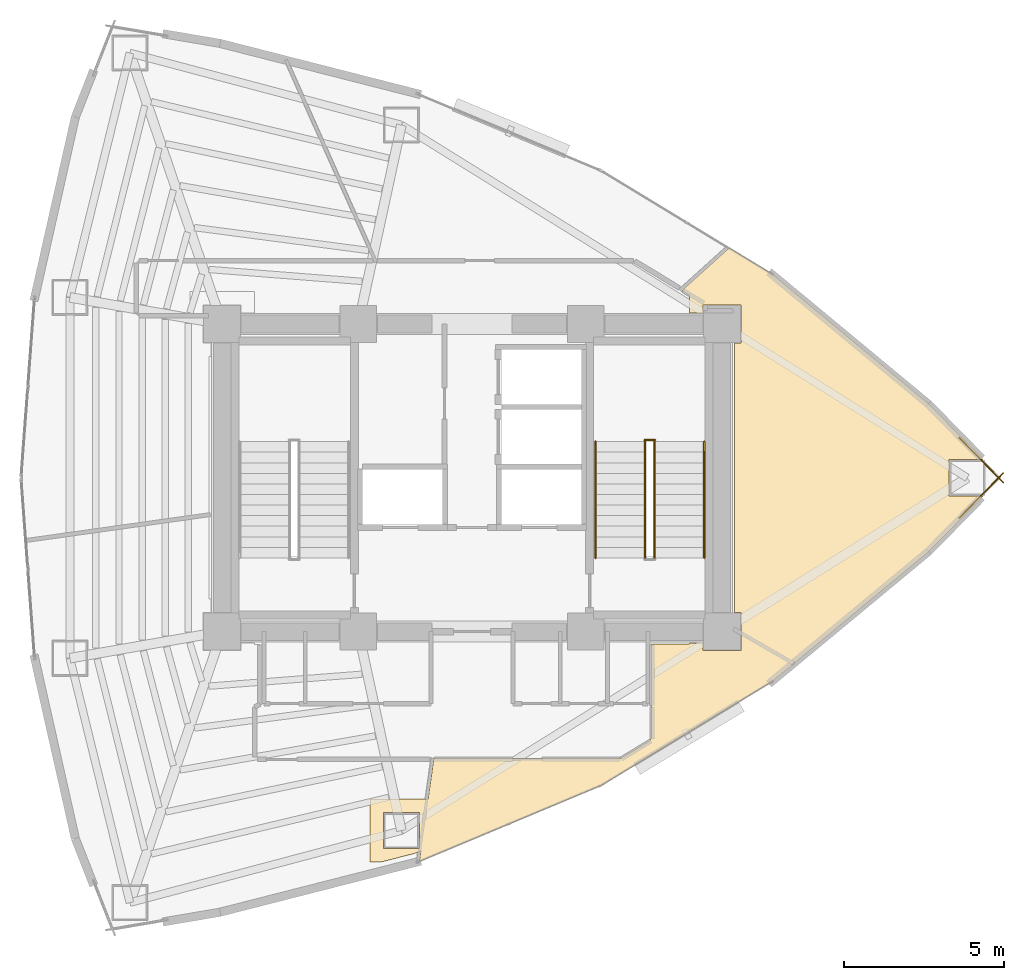
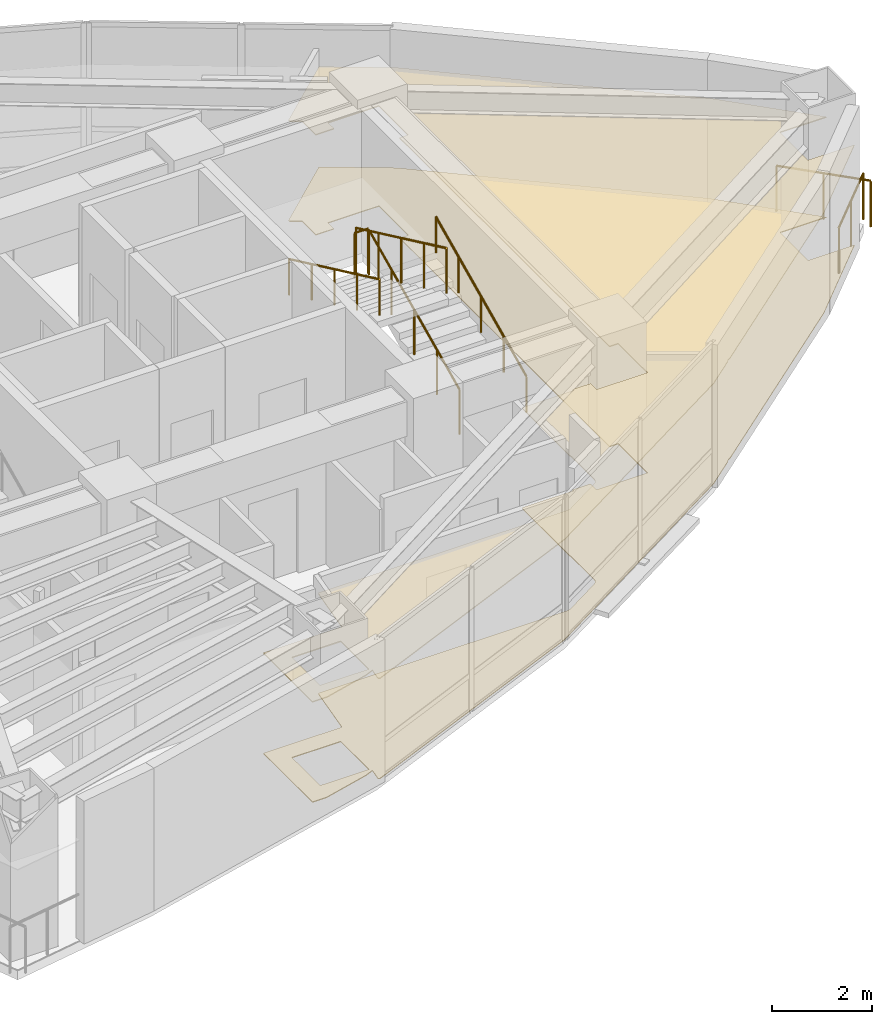
# One storey, part 14 of 15: 7 railings, 2 coverings.
"""IFC4 building model written with IfcOpenShell, lengths in metres."""

from ifc_helpers import new_model, si_unit, direction, frame, origin, origin_2d, place, context, subcontext, project, spatial, polyline, circle, outline, extrude, material, layer, layer_set, type_object, element, save


model = new_model("IFC4")

# Units and contexts
model_context = context("Model", 3, precision=1e-05, world=origin(), true_north=direction((0.0, 1.0)))
body_context = subcontext(model_context, "Body", "Model", "MODEL_VIEW")
ifc_project = project(units=[si_unit("LENGTHUNIT", "METRE"), si_unit("AREAUNIT", "SQUARE_METRE"), si_unit("VOLUMEUNIT", "CUBIC_METRE"), si_unit("PLANEANGLEUNIT", "RADIAN"), si_unit("MASSUNIT", "GRAM", prefix="KILO")], contexts=[model_context])

# Site, building, storey
site_placement = place(None, origin())
site = spatial("IfcSite", under=ifc_project, at=site_placement, CompositionType="ELEMENT")
building_placement = place(site_placement, origin())
building = spatial("IfcBuilding", under=site, at=building_placement, Name="Menara Vayukalpa", CompositionType="ELEMENT")
storey_placement = place(building_placement, frame((0.0, 0.0, 141.179931640625)))
storey = spatial("IfcBuildingStorey", under=building, at=storey_placement, Name="L35", CompositionType="ELEMENT", Elevation=141.179931640625)

# Coverings
ifc_material_1 = material(Name="Mineral Fibre Acoustic Ceiling Tile", Category="masonry")
ifc_layer_1 = layer(ifc_material_1, 0.02490234375)
ifc_layer_set_1 = layer_set([ifc_layer_1], Name="Mineral Fibre Acoustic Ceiling Tile")
covering_type_1 = type_object("IfcCoveringType", Name="COV-CLG1", PredefinedType="CEILING", material=ifc_layer_set_1)
covering_1_placement = place(storey_placement, frame((0.0, 0.0, 2.449951171875)))
element("IfcCovering", 1, at=covering_1_placement, inside=storey, type_object=covering_type_1, Name="L35 Operations Support Office Acoustic Ceiling", PredefinedType="CEILING", context=body_context, shape_type="SweptSolid", body=[
    extrude(outline(polyline([(24.40478515625, 13.20947265625), (24.405029296875, 13.210205078125), (24.40625, 13.216552734375), (24.406494140625, 13.21728515625), (24.406982421875, 13.218994140625), (24.4072265625, 13.219970703125), (24.407958984375, 13.2216796875), (24.40869140625, 13.22314453125), (24.409423828125, 13.224609375), (24.40966796875, 13.22509765625), (24.41064453125, 13.226806640625), (24.4111328125, 13.227294921875), (24.412109375, 13.228759765625), (24.4130859375, 13.229736328125), (24.414306640625, 13.231201171875), (24.414794921875, 13.231689453125), (24.415283203125, 13.232177734375), (24.4169921875, 13.2333984375), (24.417236328125, 13.233642578125), (24.418701171875, 13.234619140625), (24.419189453125, 13.235107421875), (24.4208984375, 13.236083984375), (24.421630859375, 13.236572265625), (24.42236328125, 13.23681640625), (24.424072265625, 13.237548828125), (24.42431640625, 13.237548828125), (24.426025390625, 13.23828125), (24.4267578125, 13.238525390625), (24.427490234375, 13.23876953125), (24.42919921875, 13.2392578125), (24.429931640625, 13.2392578125), (24.431884765625, 13.239501953125), (24.43310546875, 13.23974609375), (24.439697265625, 13.239990234375), (24.440185546875, 13.239990234375), (30.180908203125, 13.239990234375), (30.1982421875, 13.24072265625), (30.21533203125, 13.2431640625), (30.232177734375, 13.2470703125), (30.24853515625, 13.25244140625), (30.264404296875, 13.25927734375), (30.27978515625, 13.267822265625), (31.1083984375, 13.77099609375), (31.124755859375, 13.781982421875), (31.1396484375, 13.794677734375), (31.153076171875, 13.80859375), (31.165283203125, 13.823974609375), (31.175537109375, 13.84033203125), (31.18408203125, 13.85791015625), (31.191162109375, 13.8759765625), (31.196044921875, 13.89501953125), (31.198974609375, 13.9140625), (31.199951171875, 13.933837890625), (31.199951171875, 14.822998046875), (31.19921875, 14.83935546875), (31.197265625, 14.85498046875), (31.194091796875, 14.870849609375), (31.19091796875, 14.8828125), (31.190673828125, 14.8837890625), (31.1904296875, 14.88525390625), (31.190185546875, 14.88623046875), (31.18994140625, 14.89306640625), (31.18994140625, 14.8935546875), (31.18994140625, 16.775146484375), (31.18994140625, 16.775390625), (31.190185546875, 16.7822265625), (31.1904296875, 16.783447265625), (31.190673828125, 16.785400390625), (31.19091796875, 16.78662109375), (31.19140625, 16.788330078125), (31.191650390625, 16.788818359375), (31.192138671875, 16.79052734375), (31.1923828125, 16.79150390625), (31.19287109375, 16.792236328125), (31.19384765625, 16.7939453125), (31.194091796875, 16.79443359375), (31.195068359375, 16.796142578125), (31.195556640625, 16.796875), (31.196533203125, 16.79833984375), (31.197021484375, 16.799072265625), (31.198486328125, 16.800537109375), (31.199462890625, 16.801513671875), (31.200927734375, 16.802978515625), (31.20166015625, 16.803466796875), (31.203125, 16.804443359375), (31.203857421875, 16.804931640625), (31.20556640625, 16.805908203125), (31.2060546875, 16.80615234375), (31.207763671875, 16.80712890625), (31.20849609375, 16.8076171875), (31.20947265625, 16.807861328125), (31.211181640625, 16.808349609375), (31.211669921875, 16.80859375), (31.21337890625, 16.80908203125), (31.214599609375, 16.809326171875), (31.216552734375, 16.8095703125), (31.2177734375, 16.809814453125), (31.224609375, 16.81005859375), (31.224853515625, 16.81005859375), (32.389892578125, 16.81005859375), (32.389892578125, 16.85009765625), (32.81005859375, 16.85009765625), (32.81005859375, 16.610107421875), (33.989990234375, 16.610107421875), (33.989990234375, 17.7900390625), (33.7900390625, 17.7900390625), (33.7900390625, 26.2099609375), (33.989990234375, 26.2099609375), (33.989990234375, 27.389892578125), (32.81005859375, 27.389892578125), (32.81005859375, 27.14990234375), (32.389892578125, 27.14990234375), (32.389892578125, 27.6953125), (32.186767578125, 27.81884765625), (32.1865234375, 27.819091796875), (32.180908203125, 27.82275390625), (32.18017578125, 27.8232421875), (32.1787109375, 27.824462890625), (32.177978515625, 27.824951171875), (32.177490234375, 27.825439453125), (32.17626953125, 27.826904296875), (32.17578125, 27.827392578125), (32.174560546875, 27.8291015625), (32.174072265625, 27.82958984375), (32.173095703125, 27.8310546875), (32.17236328125, 27.83203125), (32.17138671875, 27.833740234375), (32.1708984375, 27.8349609375), (32.17041015625, 27.836669921875), (32.170166015625, 27.83740234375), (32.16943359375, 27.839111328125), (32.169189453125, 27.840087890625), (32.168701171875, 27.842041015625), (32.168701171875, 27.8427734375), (32.168701171875, 27.843505859375), (32.16845703125, 27.845458984375), (32.16845703125, 27.845947265625), (32.16845703125, 27.847900390625), (32.168701171875, 27.84912109375), (32.168701171875, 27.850830078125), (32.1689453125, 27.85205078125), (32.169189453125, 27.85400390625), (32.16943359375, 27.8544921875), (32.169921875, 27.856201171875), (32.170166015625, 27.85693359375), (32.17041015625, 27.857666015625), (32.17138671875, 27.859619140625), (32.171630859375, 27.860107421875), (32.172607421875, 27.86181640625), (32.173095703125, 27.86279296875), (32.17431640625, 27.864501953125), (32.174560546875, 27.864990234375), (32.17578125, 27.866455078125), (32.176513671875, 27.8671875), (32.181396484375, 27.8720703125), (32.181884765625, 27.872314453125), (33.610107421875, 29.158447265625), (33.6103515625, 29.15869140625), (33.61572265625, 29.1630859375), (33.6162109375, 29.16357421875), (33.617919921875, 29.16455078125), (33.618896484375, 29.165283203125), (33.62060546875, 29.166015625), (33.62158203125, 29.16650390625), (33.62353515625, 29.167236328125), (33.6240234375, 29.16748046875), (33.6259765625, 29.168212890625), (33.626953125, 29.16845703125), (33.62890625, 29.168701171875), (33.629638671875, 29.1689453125), (33.63037109375, 29.1689453125), (33.63232421875, 29.169189453125), (33.6328125, 29.169189453125), (33.634765625, 29.169189453125), (33.6357421875, 29.1689453125), (33.6376953125, 29.168701171875), (33.638916015625, 29.168701171875), (33.640625, 29.168212890625), (33.64111328125, 29.168212890625), (33.64306640625, 29.167724609375), (33.643798828125, 29.16748046875), (33.644775390625, 29.1669921875), (33.646484375, 29.166259765625), (33.64697265625, 29.166015625), (33.653076171875, 29.16259765625), (33.653564453125, 29.162353515625), (34.952392578125, 28.373291015625), (34.953125, 28.373046875), (34.96728515625, 28.36279296875), (34.968017578125, 28.3623046875), (39.852294921875, 24.31201171875), (39.8525390625, 24.311767578125), (39.861572265625, 24.303466796875), (39.862060546875, 24.302978515625), (41.568603515625, 22.56494140625), (40.494140625, 22.56494140625), (40.494140625, 21.43505859375), (41.568603515625, 21.43505859375), (39.862060546875, 19.697021484375), (39.861572265625, 19.696533203125), (39.8525390625, 19.688232421875), (39.852294921875, 19.68798828125), (35.698974609375, 16.24365234375), (35.698486328125, 16.243408203125), (35.692626953125, 16.239013671875), (35.69189453125, 16.238525390625), (35.690185546875, 16.237548828125), (35.689453125, 16.2373046875), (35.68701171875, 16.236083984375), (35.686279296875, 16.235595703125), (35.669921875, 16.22900390625), (35.6533203125, 16.22021484375), (35.6376953125, 16.2099609375), (35.623291015625, 16.197998046875), (35.60986328125, 16.184814453125), (35.597900390625, 16.17041015625), (35.58740234375, 16.15478515625), (35.5859375, 16.152099609375), (35.58544921875, 16.1513671875), (35.584228515625, 16.14990234375), (35.58349609375, 16.14892578125), (35.582275390625, 16.147705078125), (35.581787109375, 16.147216796875), (35.576904296875, 16.142578125), (35.576416015625, 16.14208984375), (34.968017578125, 15.6376953125), (34.96728515625, 15.63720703125), (34.953125, 15.626953125), (34.952392578125, 15.626708984375), (29.646484375, 12.4033203125), (29.64599609375, 12.403076171875), (29.6416015625, 12.400390625), (29.640869140625, 12.400146484375), (29.635986328125, 12.39794921875), (29.6357421875, 12.397705078125), (24.01025390625, 10.044921875), (24.010009765625, 10.044677734375), (24.00341796875, 10.042236328125), (24.002197265625, 10.0419921875), (24.000244140625, 10.04150390625), (23.99951171875, 10.041259765625), (23.99755859375, 10.041015625), (23.996826171875, 10.040771484375), (23.99609375, 10.040771484375), (23.993896484375, 10.040771484375), (23.993408203125, 10.040771484375), (23.991455078125, 10.041015625), (23.990478515625, 10.041015625), (23.988525390625, 10.041259765625), (23.987548828125, 10.04150390625), (23.985595703125, 10.0419921875), (23.984619140625, 10.042236328125), (23.98291015625, 10.04296875), (23.982177734375, 10.043212890625), (23.98046875, 10.044189453125), (23.979736328125, 10.04443359375), (23.97900390625, 10.044921875), (23.977294921875, 10.0458984375), (23.9765625, 10.04638671875), (23.97509765625, 10.047607421875), (23.974853515625, 10.0478515625), (23.973388671875, 10.04931640625), (23.97216796875, 10.05029296875), (23.970947265625, 10.0517578125), (23.97021484375, 10.052978515625), (23.968994140625, 10.0546875), (23.96875, 10.054931640625), (23.9677734375, 10.056640625), (23.96728515625, 10.0576171875), (23.966552734375, 10.059326171875), (23.966064453125, 10.060546875), (23.965576171875, 10.0625), (23.965087890625, 10.063232421875), (23.96484375, 10.065185546875), (23.964599609375, 10.06640625), (23.96435546875, 10.068359375), (23.96435546875, 10.0693359375), (23.96435546875, 10.0712890625), (23.96435546875, 10.072265625), (23.965087890625, 10.0791015625), (23.965087890625, 10.07958984375), (24.00390625, 10.3564453125), (23.806884765625, 10.27392578125), (22.744384765625, 10.0029296875), (22.411865234375, 10.0029296875), (22.411865234375, 11.972900390625), (24.231201171875, 11.972900390625), (24.40478515625, 13.20947265625)]), holes=[polyline([(23.9619140625, 11.552978515625), (22.831787109375, 11.552978515625), (22.831787109375, 10.423095703125), (23.9619140625, 10.423095703125), (23.9619140625, 11.552978515625)])]), origin(), (0.0, 0.0, 1.0), 0.025146484375),
])
ifc_material_2 = material(Name="Porcelain Stoneware Floor Tile", Category="masonry")
ifc_layer_2 = layer(ifc_material_2, 0.02001953125)
ifc_layer_set_2 = layer_set([ifc_layer_2], Name="Porcelain Stoneware Floor Tile")
covering_type_2 = type_object("IfcCoveringType", Name="COV-FLR1", PredefinedType="FLOORING", material=ifc_layer_set_2)
covering_2_placement = place(storey_placement, origin())
element("IfcCovering", 2, at=covering_2_placement, inside=storey, type_object=covering_type_2, Name="L35 Operations Support Office Porcelain Flooring", PredefinedType="FLOORING", context=body_context, shape_type="SweptSolid", body=[
    extrude(outline(polyline([(24.40478515625, 13.20947265625), (24.405029296875, 13.210205078125), (24.40625, 13.216552734375), (24.406494140625, 13.21728515625), (24.406982421875, 13.218994140625), (24.4072265625, 13.219970703125), (24.407958984375, 13.2216796875), (24.40869140625, 13.22314453125), (24.409423828125, 13.224609375), (24.40966796875, 13.22509765625), (24.41064453125, 13.226806640625), (24.4111328125, 13.227294921875), (24.412109375, 13.228759765625), (24.4130859375, 13.229736328125), (24.414306640625, 13.231201171875), (24.414794921875, 13.231689453125), (24.415283203125, 13.232177734375), (24.4169921875, 13.2333984375), (24.417236328125, 13.233642578125), (24.418701171875, 13.234619140625), (24.419189453125, 13.235107421875), (24.4208984375, 13.236083984375), (24.421630859375, 13.236572265625), (24.42236328125, 13.23681640625), (24.424072265625, 13.237548828125), (24.42431640625, 13.237548828125), (24.426025390625, 13.23828125), (24.4267578125, 13.238525390625), (24.427490234375, 13.23876953125), (24.42919921875, 13.2392578125), (24.429931640625, 13.2392578125), (24.431884765625, 13.239501953125), (24.43310546875, 13.23974609375), (24.439697265625, 13.239990234375), (24.440185546875, 13.239990234375), (30.180908203125, 13.239990234375), (30.1982421875, 13.24072265625), (30.21533203125, 13.2431640625), (30.232177734375, 13.2470703125), (30.24853515625, 13.25244140625), (30.264404296875, 13.25927734375), (30.27978515625, 13.267822265625), (31.1083984375, 13.77099609375), (31.124755859375, 13.781982421875), (31.1396484375, 13.794677734375), (31.153076171875, 13.80859375), (31.165283203125, 13.823974609375), (31.175537109375, 13.84033203125), (31.18408203125, 13.85791015625), (31.191162109375, 13.8759765625), (31.196044921875, 13.89501953125), (31.198974609375, 13.9140625), (31.199951171875, 13.933837890625), (31.199951171875, 14.822998046875), (31.19921875, 14.83935546875), (31.197265625, 14.85498046875), (31.194091796875, 14.870849609375), (31.19091796875, 14.8828125), (31.190673828125, 14.8837890625), (31.1904296875, 14.88525390625), (31.190185546875, 14.88623046875), (31.18994140625, 14.89306640625), (31.18994140625, 14.8935546875), (31.18994140625, 16.775146484375), (31.18994140625, 16.775390625), (31.190185546875, 16.7822265625), (31.1904296875, 16.783447265625), (31.190673828125, 16.785400390625), (31.19091796875, 16.78662109375), (31.19140625, 16.788330078125), (31.191650390625, 16.788818359375), (31.192138671875, 16.79052734375), (31.1923828125, 16.79150390625), (31.19287109375, 16.792236328125), (31.19384765625, 16.7939453125), (31.194091796875, 16.79443359375), (31.195068359375, 16.796142578125), (31.195556640625, 16.796875), (31.196533203125, 16.79833984375), (31.197021484375, 16.799072265625), (31.198486328125, 16.800537109375), (31.199462890625, 16.801513671875), (31.200927734375, 16.802978515625), (31.20166015625, 16.803466796875), (31.203125, 16.804443359375), (31.203857421875, 16.804931640625), (31.20556640625, 16.805908203125), (31.2060546875, 16.80615234375), (31.207763671875, 16.80712890625), (31.20849609375, 16.8076171875), (31.20947265625, 16.807861328125), (31.211181640625, 16.808349609375), (31.211669921875, 16.80859375), (31.21337890625, 16.80908203125), (31.214599609375, 16.809326171875), (31.216552734375, 16.8095703125), (31.2177734375, 16.809814453125), (31.224609375, 16.81005859375), (31.224853515625, 16.81005859375), (32.389892578125, 16.81005859375), (32.389892578125, 16.85009765625), (32.81005859375, 16.85009765625), (32.81005859375, 16.610107421875), (33.989990234375, 16.610107421875), (33.989990234375, 17.7900390625), (33.7900390625, 17.7900390625), (33.7900390625, 26.2099609375), (33.989990234375, 26.2099609375), (33.989990234375, 27.389892578125), (32.81005859375, 27.389892578125), (32.81005859375, 27.14990234375), (32.389892578125, 27.14990234375), (32.389892578125, 27.6953125), (32.186767578125, 27.81884765625), (32.1865234375, 27.819091796875), (32.180908203125, 27.82275390625), (32.18017578125, 27.8232421875), (32.1787109375, 27.824462890625), (32.177978515625, 27.824951171875), (32.177490234375, 27.825439453125), (32.17626953125, 27.826904296875), (32.17578125, 27.827392578125), (32.174560546875, 27.8291015625), (32.174072265625, 27.82958984375), (32.173095703125, 27.8310546875), (32.17236328125, 27.83203125), (32.17138671875, 27.833740234375), (32.1708984375, 27.8349609375), (32.17041015625, 27.836669921875), (32.170166015625, 27.83740234375), (32.16943359375, 27.839111328125), (32.169189453125, 27.840087890625), (32.168701171875, 27.842041015625), (32.168701171875, 27.8427734375), (32.168701171875, 27.843505859375), (32.16845703125, 27.845458984375), (32.16845703125, 27.845947265625), (32.16845703125, 27.847900390625), (32.168701171875, 27.84912109375), (32.168701171875, 27.850830078125), (32.1689453125, 27.85205078125), (32.169189453125, 27.85400390625), (32.16943359375, 27.8544921875), (32.169921875, 27.856201171875), (32.170166015625, 27.85693359375), (32.17041015625, 27.857666015625), (32.17138671875, 27.859619140625), (32.171630859375, 27.860107421875), (32.172607421875, 27.86181640625), (32.173095703125, 27.86279296875), (32.17431640625, 27.864501953125), (32.174560546875, 27.864990234375), (32.17578125, 27.866455078125), (32.176513671875, 27.8671875), (32.181396484375, 27.8720703125), (32.181884765625, 27.872314453125), (33.610107421875, 29.158447265625), (33.6103515625, 29.15869140625), (33.61572265625, 29.1630859375), (33.6162109375, 29.16357421875), (33.617919921875, 29.16455078125), (33.618896484375, 29.165283203125), (33.62060546875, 29.166015625), (33.62158203125, 29.16650390625), (33.62353515625, 29.167236328125), (33.6240234375, 29.16748046875), (33.6259765625, 29.168212890625), (33.626953125, 29.16845703125), (33.62890625, 29.168701171875), (33.629638671875, 29.1689453125), (33.63037109375, 29.1689453125), (33.63232421875, 29.169189453125), (33.6328125, 29.169189453125), (33.634765625, 29.169189453125), (33.6357421875, 29.1689453125), (33.6376953125, 29.168701171875), (33.638916015625, 29.168701171875), (33.640625, 29.168212890625), (33.64111328125, 29.168212890625), (33.64306640625, 29.167724609375), (33.643798828125, 29.16748046875), (33.644775390625, 29.1669921875), (33.646484375, 29.166259765625), (33.64697265625, 29.166015625), (33.653076171875, 29.16259765625), (33.653564453125, 29.162353515625), (34.952392578125, 28.373291015625), (34.953125, 28.373046875), (34.96728515625, 28.36279296875), (34.968017578125, 28.3623046875), (39.852294921875, 24.31201171875), (39.8525390625, 24.311767578125), (39.861572265625, 24.303466796875), (39.862060546875, 24.302978515625), (41.568603515625, 22.56494140625), (40.494140625, 22.56494140625), (40.494140625, 21.43505859375), (41.568603515625, 21.43505859375), (39.862060546875, 19.697021484375), (39.861572265625, 19.696533203125), (39.8525390625, 19.688232421875), (39.852294921875, 19.68798828125), (35.698974609375, 16.24365234375), (35.698486328125, 16.243408203125), (35.692626953125, 16.239013671875), (35.69189453125, 16.238525390625), (35.690185546875, 16.237548828125), (35.689453125, 16.2373046875), (35.68701171875, 16.236083984375), (35.686279296875, 16.235595703125), (35.669921875, 16.22900390625), (35.6533203125, 16.22021484375), (35.6376953125, 16.2099609375), (35.623291015625, 16.197998046875), (35.60986328125, 16.184814453125), (35.597900390625, 16.17041015625), (35.58740234375, 16.15478515625), (35.5859375, 16.152099609375), (35.58544921875, 16.1513671875), (35.584228515625, 16.14990234375), (35.58349609375, 16.14892578125), (35.582275390625, 16.147705078125), (35.581787109375, 16.147216796875), (35.576904296875, 16.142578125), (35.576416015625, 16.14208984375), (34.968017578125, 15.6376953125), (34.96728515625, 15.63720703125), (34.953125, 15.626953125), (34.952392578125, 15.626708984375), (29.646484375, 12.4033203125), (29.64599609375, 12.403076171875), (29.6416015625, 12.400390625), (29.640869140625, 12.400146484375), (29.635986328125, 12.39794921875), (29.6357421875, 12.397705078125), (24.01025390625, 10.044921875), (24.010009765625, 10.044677734375), (24.00341796875, 10.042236328125), (24.002197265625, 10.0419921875), (24.000244140625, 10.04150390625), (23.99951171875, 10.041259765625), (23.99755859375, 10.041015625), (23.996826171875, 10.040771484375), (23.99609375, 10.040771484375), (23.993896484375, 10.040771484375), (23.993408203125, 10.040771484375), (23.991455078125, 10.041015625), (23.990478515625, 10.041015625), (23.988525390625, 10.041259765625), (23.987548828125, 10.04150390625), (23.985595703125, 10.0419921875), (23.984619140625, 10.042236328125), (23.98291015625, 10.04296875), (23.982177734375, 10.043212890625), (23.98046875, 10.044189453125), (23.979736328125, 10.04443359375), (23.97900390625, 10.044921875), (23.977294921875, 10.0458984375), (23.9765625, 10.04638671875), (23.97509765625, 10.047607421875), (23.974853515625, 10.0478515625), (23.973388671875, 10.04931640625), (23.97216796875, 10.05029296875), (23.970947265625, 10.0517578125), (23.97021484375, 10.052978515625), (23.968994140625, 10.0546875), (23.96875, 10.054931640625), (23.9677734375, 10.056640625), (23.96728515625, 10.0576171875), (23.966552734375, 10.059326171875), (23.966064453125, 10.060546875), (23.965576171875, 10.0625), (23.965087890625, 10.063232421875), (23.96484375, 10.065185546875), (23.964599609375, 10.06640625), (23.96435546875, 10.068359375), (23.96435546875, 10.0693359375), (23.96435546875, 10.0712890625), (23.96435546875, 10.072265625), (23.965087890625, 10.0791015625), (23.965087890625, 10.07958984375), (24.00390625, 10.3564453125), (23.806884765625, 10.27392578125), (22.744384765625, 10.0029296875), (22.411865234375, 10.0029296875), (22.411865234375, 11.972900390625), (24.231201171875, 11.972900390625), (24.40478515625, 13.20947265625)]), holes=[polyline([(23.9619140625, 11.552978515625), (22.831787109375, 11.552978515625), (22.831787109375, 10.423095703125), (23.9619140625, 10.423095703125), (23.9619140625, 11.552978515625)])]), origin(), (0.0, 0.0, 1.0), 0.02001953125),
])

# Railings
ifc_material_3 = material(Name="Laminated Glass and Stainless Steel 316 Guardrail", Category="steel")
railing_type_1 = type_object("IfcRailingType", Name="RLG-EXT115", PredefinedType="GUARDRAIL", material=ifc_material_3)
railing_1_placement = place(storey_placement, frame((40.808349609375, 20.74658203125, 0.0)))
element("IfcRailing", 3, at=railing_1_placement, inside=storey, type_object=railing_type_1, Name="L35 Column Corner Spandrel Guardrail 01-1", PredefinedType="GUARDRAIL", context=body_context, shape_type="SweptSolid", body=[
    extrude(circle(Radius=0.02392578125, at=origin_2d()), frame((0.0, 0.0, 1.1259765625), z_axis=(0.700618824862, 0.713535747001, 0.0), x_axis=(-0.713535747001, 0.700618824862, 0.0)), (0.0, 0.0, 1.0), 1.965576171875),
    extrude(circle(Radius=0.02099609375, at=origin_2d()), origin(), (0.0, 0.0, 1.0), 1.101806640625),
    extrude(circle(Radius=0.02099609375, at=origin_2d()), frame((0.6884765625, 0.701171875, 0.0)), (0.0, 0.0, 1.0), 1.101806640625),
    extrude(circle(Radius=0.02099609375, at=origin_2d()), frame((1.377197265625, 1.402587890625, 0.0)), (0.0, 0.0, 1.0), 1.101806640625),
])
railing_2_placement = place(storey_placement, frame((42.185546875, 21.850830078125, 0.0)))
element("IfcRailing", 4, at=railing_2_placement, inside=storey, type_object=railing_type_1, Name="L35 Column Corner Spandrel Guardrail 02-1", PredefinedType="GUARDRAIL", context=body_context, shape_type="SweptSolid", body=[
    extrude(circle(Radius=0.02392578125, at=origin_2d()), frame((0.0, 0.0, 1.1259765625), z_axis=(-0.700618824862, 0.713535747001, 0.0), x_axis=(-0.713535747001, -0.700618824862, 0.0)), (0.0, 0.0, 1.0), 1.965576171875),
    extrude(circle(Radius=0.02099609375, at=origin_2d()), origin(), (0.0, 0.0, 1.0), 1.101806640625),
    extrude(circle(Radius=0.02099609375, at=origin_2d()), frame((-0.6884765625, 0.701171875, 0.0)), (0.0, 0.0, 1.0), 1.101806640625),
    extrude(circle(Radius=0.02099609375, at=origin_2d()), frame((-1.377197265625, 1.402587890625, 0.0)), (0.0, 0.0, 1.0), 1.101806640625),
])
ifc_material_4 = material(Name="Powder-Coated Galvanised Steel Guardrail", Category="steel")
railing_type_2 = type_object("IfcRailingType", Name="RLG-STG110", PredefinedType="GUARDRAIL", material=ifc_material_4)
railing_3_placement = place(storey_placement, frame((31.300048828125, 19.5, 0.155029296875)))
element("IfcRailing", 5, at=railing_3_placement, inside=storey, type_object=railing_type_2, Name="L35 ST-2 stair guard 1", PredefinedType="GUARDRAIL", context=body_context, shape_type="SweptSolid", body=[
    extrude(circle(Radius=0.02392578125, at=origin_2d()), frame((0.0, 0.0, 1.09619140625), z_axis=(0.0, 0.90511648382, 0.425163675209), x_axis=(-1.0, 0.0, 0.0)), (0.0, 0.0, 1.0), 4.010498046875),
    extrude(circle(Radius=0.02099609375, at=origin_2d()), origin(), (0.0, 0.0, 1.0), 1.072021484375),
    extrude(circle(Radius=0.02099609375, at=origin_2d()), frame((0.0, 0.907470703125, 0.42626953125)), (0.0, 0.0, 1.0), 1.072021484375),
    extrude(circle(Radius=0.02099609375, at=origin_2d()), frame((0.0, 1.81494140625, 0.8525390625)), (0.0, 0.0, 1.0), 1.072021484375),
    extrude(circle(Radius=0.02099609375, at=origin_2d()), frame((0.0, 2.722412109375, 1.27880859375)), (0.0, 0.0, 1.0), 1.072021484375),
    extrude(circle(Radius=0.02099609375, at=origin_2d()), frame((0.0, 3.6298828125, 1.705078125)), (0.0, 0.0, 1.0), 1.072021484375),
])
railing_4_placement = place(storey_placement, frame((31.31005859375, 23.179931640625, 1.860107421875)))
element("IfcRailing", 6, at=railing_4_placement, inside=storey, type_object=railing_type_2, Name="L35 ST-2 stair guard 2", PredefinedType="GUARDRAIL", context=body_context, shape_type="SweptSolid", body=[
    extrude(circle(Radius=0.02392578125, at=origin_2d()), frame((0.0, 0.0, 1.09619140625), z_axis=(-1.0, 0.0, 0.0), x_axis=(0.0, -1.0, 0.0)), (0.0, 0.0, 1.0), 0.320068359375),
    extrude(circle(Radius=0.02099609375, at=origin_2d()), origin(), (0.0, 0.0, 1.0), 1.072021484375),
    extrude(circle(Radius=0.02099609375, at=origin_2d()), frame((-0.320068359375, 0.0, 0.0)), (0.0, 0.0, 1.0), 1.072021484375),
])
railing_5_placement = place(storey_placement, frame((31.0, 23.1298828125, 2.01513671875)))
element("IfcRailing", 7, at=railing_5_placement, inside=storey, type_object=railing_type_2, Name="L35 ST-2 stair guard 3", PredefinedType="GUARDRAIL", context=body_context, shape_type="SweptSolid", body=[
    extrude(circle(Radius=0.02392578125, at=origin_2d()), frame((0.0, 0.0, 1.09619140625), z_axis=(0.0, -0.90513990983, 0.425113800803), x_axis=(1.0, 0.0, 0.0)), (0.0, 0.0, 1.0), 4.01025390625),
    extrude(circle(Radius=0.02099609375, at=origin_2d()), origin(), (0.0, 0.0, 1.0), 1.072021484375),
    extrude(circle(Radius=0.02099609375, at=origin_2d()), frame((0.0, -0.907470703125, 0.42626953125)), (0.0, 0.0, 1.0), 1.072021484375),
    extrude(circle(Radius=0.02099609375, at=origin_2d()), frame((0.0, -1.81494140625, 0.8525390625)), (0.0, 0.0, 1.0), 1.072021484375),
    extrude(circle(Radius=0.02099609375, at=origin_2d()), frame((0.0, -2.722412109375, 1.278564453125)), (0.0, 0.0, 1.0), 1.072021484375),
    extrude(circle(Radius=0.02099609375, at=origin_2d()), frame((0.0, -3.6298828125, 1.704833984375)), (0.0, 0.0, 1.0), 1.072021484375),
])
ifc_material_5 = material(Name="Stainless Steel 316 Tubular Handrail", Category="steel")
railing_type_3 = type_object("IfcRailingType", Name="RLG-STH090", PredefinedType="HANDRAIL", material=ifc_material_5)
railing_6_placement = place(storey_placement, frame((32.85009765625, 19.5, 0.155029296875)))
element("IfcRailing", 8, at=railing_6_placement, inside=storey, type_object=railing_type_3, Name="L35 ST-2 stair handrail 1", PredefinedType="HANDRAIL", context=body_context, shape_type="SweptSolid", body=[
    extrude(circle(Radius=0.02392578125, at=origin_2d()), frame((0.0, 0.0, 0.8759765625), z_axis=(0.0, 0.90511648382, 0.425163675209), x_axis=(-1.0, 0.0, 0.0)), (0.0, 0.0, 1.0), 4.010498046875),
    extrude(circle(Radius=0.02099609375, at=origin_2d()), origin(), (0.0, 0.0, 1.0), 0.851806640625),
    extrude(circle(Radius=0.02099609375, at=origin_2d()), frame((0.0, 0.907470703125, 0.42626953125)), (0.0, 0.0, 1.0), 0.851806640625),
    extrude(circle(Radius=0.02099609375, at=origin_2d()), frame((0.0, 1.81494140625, 0.8525390625)), (0.0, 0.0, 1.0), 0.851806640625),
    extrude(circle(Radius=0.02099609375, at=origin_2d()), frame((0.0, 2.722412109375, 1.27880859375)), (0.0, 0.0, 1.0), 0.851806640625),
    extrude(circle(Radius=0.02099609375, at=origin_2d()), frame((0.0, 3.6298828125, 1.705078125)), (0.0, 0.0, 1.0), 0.851806640625),
])
railing_7_placement = place(storey_placement, frame((29.449951171875, 23.1298828125, 2.01513671875)))
element("IfcRailing", 9, at=railing_7_placement, inside=storey, type_object=railing_type_3, Name="L35 ST-2 stair handrail 2", PredefinedType="HANDRAIL", context=body_context, shape_type="SweptSolid", body=[
    extrude(circle(Radius=0.02392578125, at=origin_2d()), frame((0.0, 0.0, 0.8759765625), z_axis=(0.0, -0.90513990983, 0.425113800803), x_axis=(1.0, 0.0, 0.0)), (0.0, 0.0, 1.0), 4.01025390625),
    extrude(circle(Radius=0.02099609375, at=origin_2d()), origin(), (0.0, 0.0, 1.0), 0.851806640625),
    extrude(circle(Radius=0.02099609375, at=origin_2d()), frame((0.0, -0.907470703125, 0.42626953125)), (0.0, 0.0, 1.0), 0.851806640625),
    extrude(circle(Radius=0.02099609375, at=origin_2d()), frame((0.0, -1.81494140625, 0.8525390625)), (0.0, 0.0, 1.0), 0.851806640625),
    extrude(circle(Radius=0.02099609375, at=origin_2d()), frame((0.0, -2.722412109375, 1.278564453125)), (0.0, 0.0, 1.0), 0.851806640625),
    extrude(circle(Radius=0.02099609375, at=origin_2d()), frame((0.0, -3.6298828125, 1.704833984375)), (0.0, 0.0, 1.0), 0.851806640625),
])

save(model, "model.ifc")
